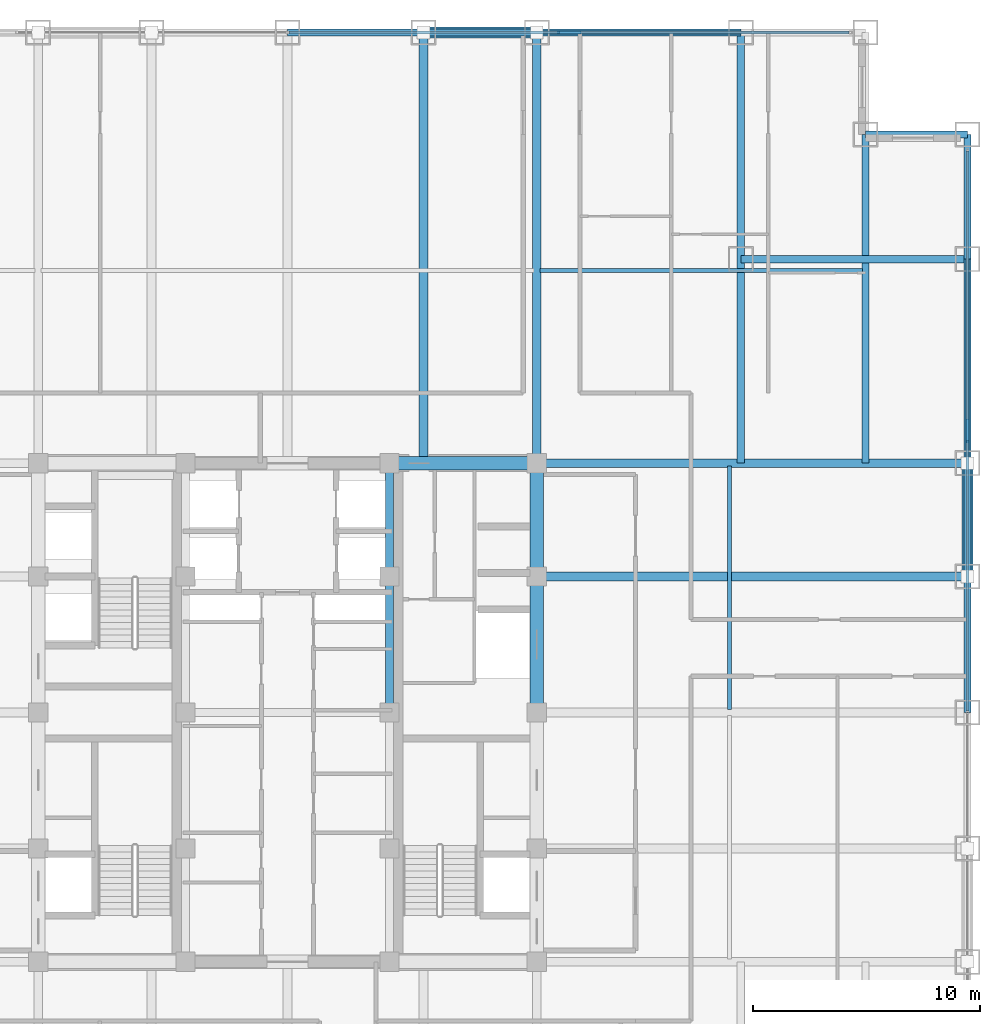
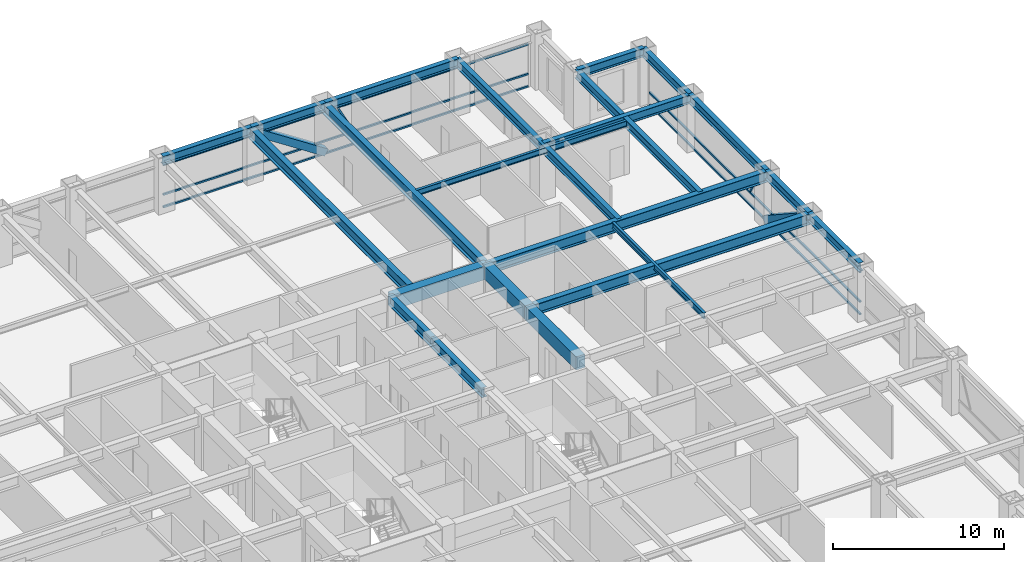
# One storey, part 17 of 24: 22 beams, 10 members, 2 elements without a shape of their own.
"""IFC4 building model written with IfcOpenShell, lengths in metres."""

from ifc_helpers import new_model, si_unit, direction, frame, origin, origin_2d, place, context, subcontext, project, spatial, rectangle, hollow_rectangle, i_section, extrude, source, transform, mapped, material, material_profile, profile_set, type_object, element, aggregate, save


model = new_model("IFC4")

# Units and contexts
model_context = context("Model", 3, precision=1e-05, world=origin(), true_north=direction((0.0, 1.0)))
body_context = subcontext(model_context, "Body", "Model", "MODEL_VIEW")
ifc_project = project(units=[si_unit("LENGTHUNIT", "METRE"), si_unit("AREAUNIT", "SQUARE_METRE"), si_unit("VOLUMEUNIT", "CUBIC_METRE"), si_unit("PLANEANGLEUNIT", "RADIAN"), si_unit("MASSUNIT", "GRAM", prefix="KILO")], contexts=[model_context])

# Site, building, storey
site_placement = place(None, origin())
site = spatial("IfcSite", under=ifc_project, at=site_placement, CompositionType="ELEMENT")
building_placement = place(site_placement, origin())
building = spatial("IfcBuilding", under=site, at=building_placement, Name="Khorayat Bourse Tower", CompositionType="ELEMENT")
storey_placement = place(building_placement, frame((0.0, 0.0, 203.10009765625)))
storey = spatial("IfcBuildingStorey", under=building, at=storey_placement, Name="L47", CompositionType="ELEMENT", Elevation=203.10009765625)

# Beams
ifc_material_1 = material(Name="Steel ASTM A992 Grade 50", Category="steel")
ifc_material_profile_1 = material_profile(ifc_material_1, i_section(OverallWidth=0.35498046875, OverallDepth=0.695068359375, WebThickness=0.015380859375, FlangeThickness=0.02490234375, FilletRadius=0.01806640625, at=origin_2d()), Name="W690X217")
ifc_profile_set_1 = profile_set([ifc_material_profile_1], Name="Steel ASTM A992 Grade 50")
beam_type_1 = type_object("IfcBeamType", Name="BM-GIRD-690", PredefinedType="BEAM", material=ifc_profile_set_1)
shared_shape_1 = source(origin(), body_context, "Body", "SweptSolid", [
    extrude(i_section(OverallWidth=0.35498046875, OverallDepth=0.695068359375, WebThickness=0.015380859375, FlangeThickness=0.02490234375, FilletRadius=0.01806640625, at=origin_2d()), origin(), (0.0, 0.0, 1.0), 5.0),
])
beam_1_placement = place(storey_placement, frame((4.5, 6.0, 3.432373046875), z_axis=(0.0, 1.0, 0.0), x_axis=(-1.0, 0.0, 0.0)))
element("IfcBeam", 1, at=beam_1_placement, inside=storey, type_object=beam_type_1, Name="L47 BM-GIRD-690 BM-L47-CRX-12", PredefinedType="BEAM", context=body_context, shape_type="MappedRepresentation", body=[
    mapped(shared_shape_1, transform((0.0, 0.0, 0.0), scale=1.0)),
])
shared_shape_2 = source(origin(), body_context, "Body", "SweptSolid", [
    extrude(i_section(OverallWidth=0.35498046875, OverallDepth=0.695068359375, WebThickness=0.015380859375, FlangeThickness=0.02490234375, FilletRadius=0.01806640625, at=origin_2d()), origin(), (0.0, 0.0, 1.0), 6.0),
])
beam_2_placement = place(storey_placement, frame((4.5, 0.0, 3.432373046875), z_axis=(0.0, 1.0, 0.0), x_axis=(-1.0, 0.0, 0.0)))
element("IfcBeam", 2, at=beam_2_placement, inside=storey, type_object=beam_type_1, Name="L47 BM-GIRD-690 BM-L47-CRX-11", PredefinedType="BEAM", context=body_context, shape_type="MappedRepresentation", body=[
    mapped(shared_shape_2, transform((0.0, 0.0, 0.0), scale=1.0)),
])
ifc_material_profile_2 = material_profile(ifc_material_1, i_section(OverallWidth=0.381103515625, OverallDepth=0.77294921875, WebThickness=0.0166015625, FlangeThickness=0.027587890625, FilletRadius=0.01806640625, at=origin_2d()), Name="W760X257")
ifc_profile_set_2 = profile_set([ifc_material_profile_2], Name="Steel ASTM A992 Grade 50")
beam_type_2 = type_object("IfcBeamType", Name="BM-GIRD-760", PredefinedType="BEAM", material=ifc_profile_set_2)
shared_shape_3 = source(origin(), body_context, "Body", "SweptSolid", [
    extrude(i_section(OverallWidth=0.381103515625, OverallDepth=0.77294921875, WebThickness=0.0166015625, FlangeThickness=0.027587890625, FilletRadius=0.01806640625, at=origin_2d()), origin(), (0.0, 0.0, 1.0), 19.0),
])
for number, where, z_axis, x_axis, name in (
    (3, (6.0, 11.0, 3.393310546875), (0.0, 1.0, 0.0), (-1.0, 0.0, 0.0), "L47 BM-GIRD-760 BM-L47-RADY-070"),
    (4, (11.0, 11.0, 3.393310546875), (0.0, 1.0, 0.0), (-1.0, 0.0, 0.0), "L47 BM-GIRD-760 BM-L47-RADY-072"),
    (5, (11.0, 6.0, 3.393310546875), (1.0, 0.0, 0.0), (0.0, 1.0, 0.0), "L47 BM-GIRD-760 BM-L47-RADX-080"),
    (6, (11.0, 11.0, 3.393310546875), (1.0, 0.0, 0.0), (0.0, 1.0, 0.0), "L47 BM-GIRD-760 BM-L47-RADX-082"),
):
    element("IfcBeam", number, at=place(storey_placement, frame(where, z_axis=z_axis, x_axis=x_axis)), inside=storey, type_object=beam_type_2, Name=name, PredefinedType="BEAM", context=body_context, shape_type="MappedRepresentation", body=[
        mapped(shared_shape_3, transform((0.0, 0.0, 0.0), scale=1.0)),
    ])
ifc_material_profile_3 = material_profile(ifc_material_1, i_section(OverallWidth=0.324951171875, OverallDepth=0.615966796875, WebThickness=0.013916015625, FlangeThickness=0.021484375, FilletRadius=0.01611328125, at=origin_2d()), Name="W610X174")
ifc_profile_set_3 = profile_set([ifc_material_profile_3], Name="Steel ASTM A992 Grade 50")
beam_type_3 = type_object("IfcBeamType", Name="BM-GIRD-610", PredefinedType="BEAM", material=ifc_profile_set_3)
shared_shape_4 = source(origin(), body_context, "Body", "SweptSolid", [
    extrude(i_section(OverallWidth=0.324951171875, OverallDepth=0.615966796875, WebThickness=0.013916015625, FlangeThickness=0.021484375, FilletRadius=0.01611328125, at=origin_2d()), origin(), (0.0, 0.0, 1.0), 19.0),
])
beam_3_placement = place(storey_placement, frame((20.0, 11.0, 3.471923828125), z_axis=(0.0, 1.0, 0.0), x_axis=(-1.0, 0.0, 0.0)))
element("IfcBeam", 7, at=beam_3_placement, inside=storey, type_object=beam_type_3, Name="L47 BM-GIRD-610 BM-L47-CNRY-087", PredefinedType="BEAM", context=body_context, shape_type="MappedRepresentation", body=[
    mapped(shared_shape_4, transform((0.0, 0.0, 0.0), scale=1.0)),
])
shared_shape_5 = source(origin(), body_context, "Body", "SweptSolid", [
    extrude(i_section(OverallWidth=0.324951171875, OverallDepth=0.615966796875, WebThickness=0.013916015625, FlangeThickness=0.021484375, FilletRadius=0.01611328125, at=origin_2d()), origin(), (0.0, 0.0, 1.0), 14.5),
])
beam_4_placement = place(storey_placement, frame((25.5, 11.0, 3.471923828125), z_axis=(0.0, 1.0, 0.0), x_axis=(-1.0, 0.0, 0.0)))
element("IfcBeam", 8, at=beam_4_placement, inside=storey, type_object=beam_type_3, Name="L47 BM-GIRD-610 BM-L47-CNRY-091", PredefinedType="BEAM", context=body_context, shape_type="MappedRepresentation", body=[
    mapped(shared_shape_5, transform((0.0, 0.0, 0.0), scale=1.0)),
])
shared_shape_6 = source(origin(), body_context, "Body", "SweptSolid", [
    extrude(i_section(OverallWidth=0.324951171875, OverallDepth=0.615966796875, WebThickness=0.013916015625, FlangeThickness=0.021484375, FilletRadius=0.01611328125, at=origin_2d()), origin(), (0.0, 0.0, 1.0), 10.0),
])
beam_5_placement = place(storey_placement, frame((20.0, 20.0, 3.471923828125), z_axis=(1.0, 0.0, 0.0), x_axis=(0.0, 1.0, 0.0)))
element("IfcBeam", 9, at=beam_5_placement, inside=storey, type_object=beam_type_3, Name="L47 BM-GIRD-610 BM-L47-CNRX-094", PredefinedType="BEAM", context=body_context, shape_type="MappedRepresentation", body=[
    mapped(shared_shape_6, transform((0.0, 0.0, 0.0), scale=1.0)),
])
ifc_material_profile_4 = material_profile(ifc_material_1, i_section(OverallWidth=0.180908203125, OverallDepth=0.4169921875, WebThickness=0.010986328125, FlangeThickness=0.018310546875, FilletRadius=0.011962890625, at=origin_2d()), Name="W410X85")
ifc_profile_set_4 = profile_set([ifc_material_profile_4], Name="Steel ASTM A992 Grade 50")
beam_type_4 = type_object("IfcBeamType", Name="BM-JOIST-410", PredefinedType="JOIST", material=ifc_profile_set_4)
shared_shape_7 = source(origin(), body_context, "Body", "SweptSolid", [
    extrude(i_section(OverallWidth=0.180908203125, OverallDepth=0.4169921875, WebThickness=0.010986328125, FlangeThickness=0.018310546875, FilletRadius=0.011962890625, at=origin_2d()), origin(), (0.0, 0.0, 1.0), 14.240234375),
])
beam_6_placement = place(storey_placement, frame((11.1298828125, 19.5, 3.5712890625), z_axis=(1.0, 0.0, 0.0), x_axis=(0.0, 1.0, 0.0)))
element("IfcBeam", 10, at=beam_6_placement, inside=storey, type_object=beam_type_4, Name="L47 BM-JOIST-410 BM-L47-JSTX-101", PredefinedType="JOIST", context=body_context, shape_type="MappedRepresentation", body=[
    mapped(shared_shape_7, transform((0.0, 0.0, 0.0), scale=1.0)),
])
shared_shape_8 = source(origin(), body_context, "Body", "SweptSolid", [
    extrude(i_section(OverallWidth=0.180908203125, OverallDepth=0.4169921875, WebThickness=0.010986328125, FlangeThickness=0.018310546875, FilletRadius=0.011962890625, at=origin_2d()), origin(), (0.0, 0.0, 1.0), 10.740234375),
])
beam_7_placement = place(storey_placement, frame((19.5, 0.1298828125, 3.5712890625), z_axis=(0.0, 1.0, 0.0), x_axis=(-1.0, 0.0, 0.0)))
element("IfcBeam", 11, at=beam_7_placement, inside=storey, type_object=beam_type_4, Name="L47 BM-JOIST-410 BM-L47-JSTY-105", PredefinedType="JOIST", context=body_context, shape_type="MappedRepresentation", body=[
    mapped(shared_shape_8, transform((0.0, 0.0, 0.0), scale=1.0)),
])
ifc_material_profile_5 = material_profile(ifc_material_1, i_section(OverallWidth=0.324951171875, OverallDepth=0.615966796875, WebThickness=0.013916015625, FlangeThickness=0.021484375, FilletRadius=0.01611328125, at=origin_2d()), Name="W610X174")
ifc_profile_set_5 = profile_set([ifc_material_profile_5], Name="Steel ASTM A992 Grade 50")
beam_type_5 = type_object("IfcBeamType", Name="BM-SPAN-610", PredefinedType="SPANDREL", material=ifc_profile_set_5)
shared_shape_9 = source(origin(), body_context, "Body", "SweptSolid", [
    extrude(i_section(OverallWidth=0.324951171875, OverallDepth=0.615966796875, WebThickness=0.013916015625, FlangeThickness=0.021484375, FilletRadius=0.01611328125, at=origin_2d()), origin(), (0.0, 0.0, 1.0), 5.5),
])
beam_8_placement = place(storey_placement, frame((30.0, 20.0, 3.471923828125), z_axis=(0.0, 1.0, 0.0), x_axis=(-1.0, 0.0, 0.0)))
element("IfcBeam", 12, at=beam_8_placement, inside=storey, type_object=beam_type_5, Name="L47 BM-SPAN-610 BM-L47-SPN-041", PredefinedType="SPANDREL", context=body_context, shape_type="MappedRepresentation", body=[
    mapped(shared_shape_9, transform((0.0, 0.0, 0.0), scale=1.0)),
])
shared_shape_10 = source(origin(), body_context, "Body", "SweptSolid", [
    extrude(i_section(OverallWidth=0.324951171875, OverallDepth=0.615966796875, WebThickness=0.013916015625, FlangeThickness=0.021484375, FilletRadius=0.01611328125, at=origin_2d()), origin(), (0.0, 0.0, 1.0), 9.0),
])
for number, where, z_axis, x_axis, name in (
    (13, (30.0, 11.0, 3.471923828125), (0.0, 1.0, 0.0), (-1.0, 0.0, 0.0), "L47 BM-SPAN-610 BM-L47-SPN-040"),
    (14, (11.0, 30.0, 3.471923828125), (1.0, 0.0, 0.0), (0.0, 1.0, 0.0), "L47 BM-SPAN-610 BM-L47-SPN-045"),
):
    element("IfcBeam", number, at=place(storey_placement, frame(where, z_axis=z_axis, x_axis=x_axis)), inside=storey, type_object=beam_type_5, Name=name, PredefinedType="SPANDREL", context=body_context, shape_type="MappedRepresentation", body=[
        mapped(shared_shape_10, transform((0.0, 0.0, 0.0), scale=1.0)),
    ])
shared_shape_11 = source(origin(), body_context, "Body", "SweptSolid", [
    extrude(i_section(OverallWidth=0.324951171875, OverallDepth=0.615966796875, WebThickness=0.013916015625, FlangeThickness=0.021484375, FilletRadius=0.01611328125, at=origin_2d()), origin(), (0.0, 0.0, 1.0), 5.0),
])
for number, where, z_axis, x_axis, name in (
    (15, (30.0, 6.0, 3.471923828125), (0.0, 1.0, 0.0), (-1.0, 0.0, 0.0), "L47 BM-SPAN-610 BM-L47-SPN-039"),
    (16, (6.0, 30.0, 3.471923828125), (1.0, 0.0, 0.0), (0.0, 1.0, 0.0), "L47 BM-SPAN-610 BM-L47-SPN-046"),
):
    element("IfcBeam", number, at=place(storey_placement, frame(where, z_axis=z_axis, x_axis=x_axis)), inside=storey, type_object=beam_type_5, Name=name, PredefinedType="SPANDREL", context=body_context, shape_type="MappedRepresentation", body=[
        mapped(shared_shape_11, transform((0.0, 0.0, 0.0), scale=1.0)),
    ])
shared_shape_12 = source(origin(), body_context, "Body", "SweptSolid", [
    extrude(i_section(OverallWidth=0.324951171875, OverallDepth=0.615966796875, WebThickness=0.013916015625, FlangeThickness=0.021484375, FilletRadius=0.01611328125, at=origin_2d()), origin(), (0.0, 0.0, 1.0), 6.0),
])
for number, where, z_axis, x_axis, name in (
    (17, (30.0, 0.0, 3.471923828125), (0.0, 1.0, 0.0), (-1.0, 0.0, 0.0), "L47 BM-SPAN-610 BM-L47-SPN-038"),
    (18, (0.0, 30.0, 3.471923828125), (1.0, 0.0, 0.0), (0.0, 1.0, 0.0), "L47 BM-SPAN-610 BM-L47-SPN-047"),
):
    element("IfcBeam", number, at=place(storey_placement, frame(where, z_axis=z_axis, x_axis=x_axis)), inside=storey, type_object=beam_type_5, Name=name, PredefinedType="SPANDREL", context=body_context, shape_type="MappedRepresentation", body=[
        mapped(shared_shape_12, transform((0.0, 0.0, 0.0), scale=1.0)),
    ])
shared_shape_13 = source(origin(), body_context, "Body", "SweptSolid", [
    extrude(i_section(OverallWidth=0.324951171875, OverallDepth=0.615966796875, WebThickness=0.013916015625, FlangeThickness=0.021484375, FilletRadius=0.01611328125, at=origin_2d()), origin(), (0.0, 0.0, 1.0), 4.5),
])
beam_9_placement = place(storey_placement, frame((25.5, 25.5, 3.471923828125), z_axis=(1.0, 0.0, 0.0), x_axis=(0.0, 1.0, 0.0)))
element("IfcBeam", 19, at=beam_9_placement, inside=storey, type_object=beam_type_5, Name="L47 BM-SPAN-610 BM-L47-SPN-042", PredefinedType="SPANDREL", context=body_context, shape_type="MappedRepresentation", body=[
    mapped(shared_shape_13, transform((0.0, 0.0, 0.0), scale=1.0)),
])

# Members
ifc_material_2 = material(Name="Steel EN 10025-4 S460M", Category="steel")
ifc_material_profile_6 = material_profile(ifc_material_2, hollow_rectangle(XDim=0.5, YDim=0.5, WallThickness=0.028076171875, at=origin_2d()), Name="HSS 500x500x28")
ifc_profile_set_6 = profile_set([ifc_material_profile_6], Name="Steel EN 10025-4 S460M")
member_type_1 = type_object("IfcMemberType", Name="MBR-TUBE-500", PredefinedType="BRACE", material=ifc_profile_set_6)
shared_shape_14 = source(origin(), body_context, "Body", "SweptSolid", [
    extrude(hollow_rectangle(XDim=0.5, YDim=0.5, WallThickness=0.028076171875, at=origin_2d()), origin(), (0.0, 0.0, 1.0), 5.979736328125),
])
for number, where, z_axis, x_axis, name in (
    (20, (6.0, 30.0, 3.52978515625), (0.836160261256, 0.0, -0.548485202623), (0.0, 1.0, 0.0), "L47 Perimeter Tube Brace 04"),
    (21, (30.0, 6.0, 3.52978515625), (0.0, 0.836160261256, -0.548485202623), (-1.0, 0.0, 0.0), "L47 Perimeter Tube Brace 08"),
):
    element("IfcMember", number, at=place(storey_placement, frame(where, z_axis=z_axis, x_axis=x_axis)), inside=storey, type_object=member_type_1, Name=name, PredefinedType="BRACE", context=body_context, shape_type="MappedRepresentation", body=[
        mapped(shared_shape_14, transform((0.0, 0.0, 0.0), scale=1.0)),
    ])

# Beams
ifc_material_3 = material(Name="Concrete C60/75", Category="concrete")
ifc_material_profile_7 = material_profile(ifc_material_3, rectangle(XDim=0.60009765625, YDim=0.949951171875, at=origin_2d()), Name="RC 600x950")
ifc_profile_set_7 = profile_set([ifc_material_profile_7], Name="Concrete C60/75")
beam_type_6 = type_object("IfcBeamType", Name="BM-COUP-950", PredefinedType="BEAM", material=ifc_profile_set_7)
shared_shape_15 = source(origin(), body_context, "Body", "SweptSolid", [
    extrude(rectangle(XDim=0.60009765625, YDim=0.949951171875, at=origin_2d()), origin(), (0.0, 0.0, 1.0), 5.0),
])
beam_10_placement = place(storey_placement, frame((11.0, 6.0, 3.304931640625), z_axis=(0.0, 1.0, 0.0), x_axis=(-1.0, 0.0, 0.0)))
element("IfcBeam", 22, at=beam_10_placement, inside=storey, type_object=beam_type_6, Name="L47 BM-COUP-950 BM-L47-CRX-16", PredefinedType="BEAM", context=body_context, shape_type="MappedRepresentation", body=[
    mapped(shared_shape_15, transform((0.0, 0.0, 0.0), scale=1.0)),
])
shared_shape_16 = source(origin(), body_context, "Body", "SweptSolid", [
    extrude(rectangle(XDim=0.60009765625, YDim=0.949951171875, at=origin_2d()), origin(), (0.0, 0.0, 1.0), 6.0),
])
beam_11_placement = place(storey_placement, frame((11.0, 0.0, 3.304931640625), z_axis=(0.0, 1.0, 0.0), x_axis=(-1.0, 0.0, 0.0)))
element("IfcBeam", 23, at=beam_11_placement, inside=storey, type_object=beam_type_6, Name="L47 BM-COUP-950 BM-L47-CRX-15", PredefinedType="BEAM", context=body_context, shape_type="MappedRepresentation", body=[
    mapped(shared_shape_16, transform((0.0, 0.0, 0.0), scale=1.0)),
])
shared_shape_17 = source(origin(), body_context, "Body", "SweptSolid", [
    extrude(rectangle(XDim=0.60009765625, YDim=0.949951171875, at=origin_2d()), origin(), (0.0, 0.0, 1.0), 6.5),
])
beam_12_placement = place(storey_placement, frame((4.5, 11.0, 3.304931640625), z_axis=(1.0, 0.0, 0.0), x_axis=(0.0, 1.0, 0.0)))
element("IfcBeam", 24, at=beam_12_placement, inside=storey, type_object=beam_type_6, Name="L47 BM-COUP-950 BM-L47-CRY-22", PredefinedType="BEAM", context=body_context, shape_type="MappedRepresentation", body=[
    mapped(shared_shape_17, transform((0.0, 0.0, 0.0), scale=1.0)),
])

# Curtain wall, member
ifc_material_4 = material(Name="Aluminium EN AW-6063 T6", Category="aluminium")
curtain_wall_type = type_object("IfcCurtainWallType", Name="CW-SYS-03", PredefinedType="NOTDEFINED", material=ifc_material_4)
curtain_wall_1_placement = place(storey_placement, origin())
curtain_wall_1 = element("IfcCurtainWall", 25, at=curtain_wall_1_placement, inside=storey, type_object=curtain_wall_type, Name="L47 Curtain Wall CW-L47-N1", PredefinedType="NOTDEFINED")
ifc_material_profile_8 = material_profile(ifc_material_4, hollow_rectangle(XDim=0.1201171875, YDim=0.1201171875, WallThickness=0.0048828125, at=origin_2d()), Name="ALU 120x120x5")
ifc_profile_set_8 = profile_set([ifc_material_profile_8], Name="Aluminium EN AW-6063 T6")
member_type_2 = type_object("IfcMemberType", Name="CWM-DIAG-120", PredefinedType="MULLION", material=ifc_profile_set_8)
shared_shape_18 = source(origin(), body_context, "Body", "SweptSolid", [
    extrude(hollow_rectangle(XDim=0.1201171875, YDim=0.1201171875, WallThickness=0.0048828125, at=origin_2d()), origin(), (0.0, 0.0, 1.0), 2.079345703125),
])
member_1_placement = place(storey_placement, frame((12.904296875, 30.0, 1.08984375), z_axis=(-0.465760949701, 0.0, 0.884910581773), x_axis=(0.0, -1.0, 0.0)))
member_1 = element("IfcMember", 26, at=member_1_placement, type_object=member_type_2, Name="CW-L47-N1 Faceted Diagonal Mullion 2", PredefinedType="MULLION", context=body_context, shape_type="MappedRepresentation", body=[
    mapped(shared_shape_18, transform((0.0, 0.0, 0.0), scale=1.0)),
])

curtain_wall_2_placement = place(storey_placement, origin())
curtain_wall_2 = element("IfcCurtainWall", 27, at=curtain_wall_2_placement, inside=storey, type_object=curtain_wall_type, Name="L47 Curtain Wall CW-L47-E1", PredefinedType="NOTDEFINED")
member_2_placement = place(storey_placement, frame((30.0, 12.904296875, 1.08984375), z_axis=(0.0, -0.465760949701, 0.884910581773), x_axis=(1.0, 0.0, 0.0)))
member_2 = element("IfcMember", 28, at=member_2_placement, type_object=member_type_2, Name="CW-L47-E1 Faceted Diagonal Mullion 2", PredefinedType="MULLION", context=body_context, shape_type="MappedRepresentation", body=[
    mapped(shared_shape_18, transform((0.0, 0.0, 0.0), scale=1.0)),
])

# Member
ifc_material_profile_9 = material_profile(ifc_material_4, hollow_rectangle(XDim=0.1201171875, YDim=0.1201171875, WallThickness=0.0048828125, at=origin_2d()), Name="ALU 120x120x5")
ifc_profile_set_9 = profile_set([ifc_material_profile_9], Name="Aluminium EN AW-6063 T6")
member_type_3 = type_object("IfcMemberType", Name="CWT-HORZ-120", PredefinedType="USERDEFINED", material=ifc_profile_set_9)
shared_shape_19 = source(origin(), body_context, "Body", "SweptSolid", [
    extrude(hollow_rectangle(XDim=0.1201171875, YDim=0.1201171875, WallThickness=0.0048828125, at=origin_2d()), origin(), (0.0, 0.0, 1.0), 24.719970703125),
])
member_3_placement = place(storey_placement, frame((0.06005859375, 30.0, 0.059814453125), z_axis=(1.0, 0.0, 0.0), x_axis=(0.0, 1.0, 0.0)))
member_3 = element("IfcMember", 29, at=member_3_placement, type_object=member_type_3, Name="CW-L47-N1 Horizontal Transom 2-1", ObjectType="TRANSOM", PredefinedType="USERDEFINED", context=body_context, shape_type="MappedRepresentation", body=[
    mapped(shared_shape_19, transform((0.0, 0.0, 0.0), scale=1.0)),
])

member_4_placement = place(storey_placement, frame((0.06005859375, 30.0, 0.949951171875), z_axis=(1.0, 0.0, 0.0), x_axis=(0.0, 1.0, 0.0)))
member_4 = element("IfcMember", 30, at=member_4_placement, type_object=member_type_3, Name="CW-L47-N1 Horizontal Transom 2-2", ObjectType="TRANSOM", PredefinedType="USERDEFINED", context=body_context, shape_type="MappedRepresentation", body=[
    mapped(shared_shape_19, transform((0.0, 0.0, 0.0), scale=1.0)),
])

member_5_placement = place(storey_placement, frame((0.06005859375, 30.0, 3.06982421875), z_axis=(1.0, 0.0, 0.0), x_axis=(0.0, 1.0, 0.0)))
member_5 = element("IfcMember", 31, at=member_5_placement, type_object=member_type_3, Name="CW-L47-N1 Horizontal Transom 2-3", ObjectType="TRANSOM", PredefinedType="USERDEFINED", context=body_context, shape_type="MappedRepresentation", body=[
    mapped(shared_shape_19, transform((0.0, 0.0, 0.0), scale=1.0)),
])

aggregate(curtain_wall_1, [member_3, member_4, member_5, member_1])

member_6_placement = place(storey_placement, frame((30.0, 0.06005859375, 0.059814453125), z_axis=(0.0, 1.0, 0.0), x_axis=(-1.0, 0.0, 0.0)))
member_6 = element("IfcMember", 32, at=member_6_placement, type_object=member_type_3, Name="CW-L47-E1 Horizontal Transom 2-1", ObjectType="TRANSOM", PredefinedType="USERDEFINED", context=body_context, shape_type="MappedRepresentation", body=[
    mapped(shared_shape_19, transform((0.0, 0.0, 0.0), scale=1.0)),
])

member_7_placement = place(storey_placement, frame((30.0, 0.06005859375, 0.949951171875), z_axis=(0.0, 1.0, 0.0), x_axis=(-1.0, 0.0, 0.0)))
member_7 = element("IfcMember", 33, at=member_7_placement, type_object=member_type_3, Name="CW-L47-E1 Horizontal Transom 2-2", ObjectType="TRANSOM", PredefinedType="USERDEFINED", context=body_context, shape_type="MappedRepresentation", body=[
    mapped(shared_shape_19, transform((0.0, 0.0, 0.0), scale=1.0)),
])

member_8_placement = place(storey_placement, frame((30.0, 0.06005859375, 3.06982421875), z_axis=(0.0, 1.0, 0.0), x_axis=(-1.0, 0.0, 0.0)))
member_8 = element("IfcMember", 34, at=member_8_placement, type_object=member_type_3, Name="CW-L47-E1 Horizontal Transom 2-3", ObjectType="TRANSOM", PredefinedType="USERDEFINED", context=body_context, shape_type="MappedRepresentation", body=[
    mapped(shared_shape_19, transform((0.0, 0.0, 0.0), scale=1.0)),
])

aggregate(curtain_wall_2, [member_6, member_7, member_8, member_2])

save(model, "model.ifc")
